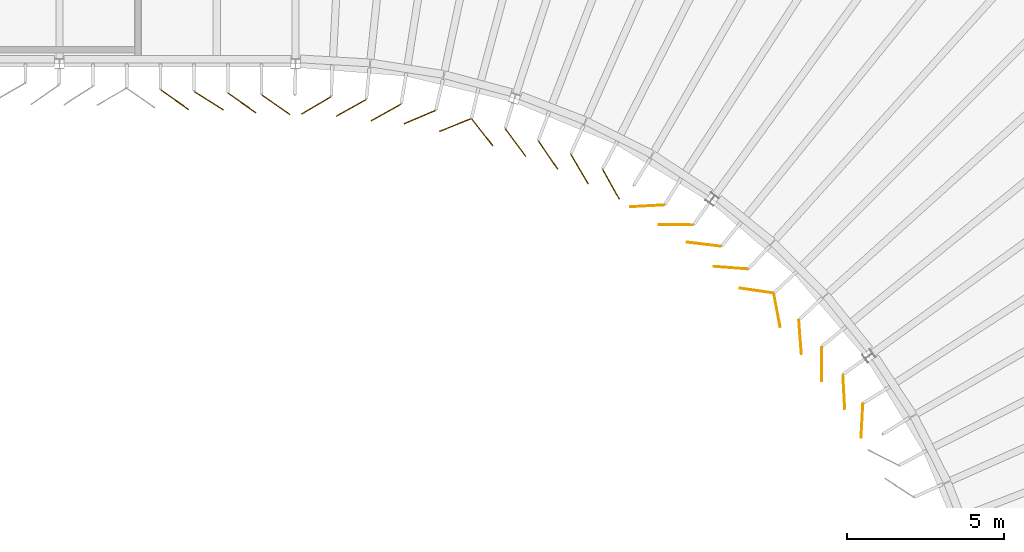
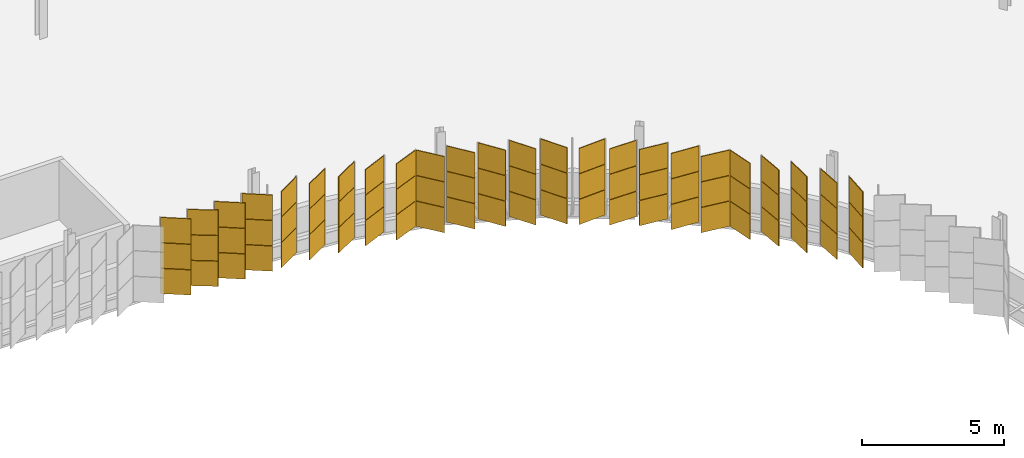
# One storey, part 193 of 199: 72 coverings.
"""IFC4 building model written with IfcOpenShell, lengths in metres."""

from ifc_helpers import new_model, si_unit, direction, frame, origin, origin_2d, place, context, subcontext, project, spatial, rectangle, extrude, material, layer, layer_set, type_object, element, save


model = new_model("IFC4")

# Units and contexts
model_context = context("Model", 3, precision=1e-05, world=origin(), true_north=direction((0.0, 1.0)))
body_context = subcontext(model_context, "Body", "Model", "MODEL_VIEW")
ifc_project = project(units=[si_unit("LENGTHUNIT", "METRE"), si_unit("AREAUNIT", "SQUARE_METRE"), si_unit("VOLUMEUNIT", "CUBIC_METRE"), si_unit("PLANEANGLEUNIT", "RADIAN"), si_unit("MASSUNIT", "GRAM", prefix="KILO")], contexts=[model_context])

# Site, building, storey
site_placement = place(None, origin())
site = spatial("IfcSite", under=ifc_project, at=site_placement, CompositionType="ELEMENT")
building_placement = place(site_placement, origin())
building = spatial("IfcBuilding", under=site, at=building_placement, Name="Parallax Yard Mobility Hub", CompositionType="ELEMENT")
storey_placement = place(building_placement, frame((0.0, 0.0, 9.89990234375)))
storey = spatial("IfcBuildingStorey", under=building, at=storey_placement, Name="L03", CompositionType="ELEMENT", Elevation=9.89990234375)

# Coverings
ifc_material_1 = material(Name="Aluminium panel, champagne finish", Category="aluminium")
ifc_layer_1 = layer(ifc_material_1, 0.030029296875)
ifc_layer_set_1 = layer_set([ifc_layer_1], Name="Skin panel 32.5 degree turn, champagne finish")
covering_type_1 = type_object("IfcCoveringType", Name="Skin panel 32.5 degree turn, champagne finish", PredefinedType="CLADDING", material=ifc_layer_set_1)
for number, where, z_axis, x_axis, name in (
    (1, (169.749755859375, 111.32421875, 0.02001953125), (0.0, 0.0, 1.0), (0.843391445813, -0.537299608347, 0.0), "Skin panel 32.5 bay 17.5 row 1 level L03"),
    (2, (173.15576171875, 111.178955078125, 0.02001953125), (0.0, 0.0, 1.0), (-0.860519833856, -0.509416936841, 0.0), "Skin panel 32.5 bay 18.1 row 1 level L03"),
    (3, (176.44140625, 110.8076171875, 0.02001953125), (0.0, 0.0, 1.0), (-0.919650220405, -0.392738427085, 0.0), "Skin panel 32.5 bay 18.4 row 1 level L03"),
    (4, (179.48828125, 109.9912109375, 0.02001953125), (0.0, 0.0, 1.0), (0.600071239924, -0.7999465651, 0.0), "Skin panel 32.5 bay 19.1 row 1 level L03"),
    (5, (182.517822265625, 108.67138671875, 0.02001953125), (0.0, 0.0, 1.0), (0.490523568159, -0.87142792535, 0.0), "Skin panel 32.5 bay 19.4 row 1 level L03"),
    (6, (185.46728515625, 106.76904296875, 0.02001953125), (0.0, 0.0, 1.0), (-0.992809667009, 0.119703655305, 0.0), "Skin panel 32.5 bay 20.1 row 1 level L03"),
    (7, (187.78955078125, 104.672119140625, 0.02001953125), (0.0, 0.0, 1.0), (0.184380219543, -0.982854991665, 0.0), "Skin panel 32.5 bay 20.4 row 1 level L03"),
    (8, (189.912109375, 102.078857421875, 0.02001953125), (0.0, 0.0, 1.0), (0.054514501638, -0.99851297894, 0.0), "Skin panel 32.5 bay 21.1 row 1 level L03"),
):
    element("IfcCovering", number, at=place(storey_placement, frame(where, z_axis=z_axis, x_axis=x_axis)), inside=storey, type_object=covering_type_1, Name=name, ObjectType="SCREEN", PredefinedType="CLADDING", context=body_context, shape_type="SweptSolid", body=[
        extrude(rectangle(XDim=1.080078125, YDim=0.030029296875, at=origin_2d()), origin(), (0.0, 0.0, 1.0), 1.080078125),
    ])
ifc_material_2 = material(Name="Aluminium panel, silver anodised", Category="aluminium")
ifc_layer_2 = layer(ifc_material_2, 0.030029296875)
ifc_layer_set_2 = layer_set([ifc_layer_2], Name="Skin panel 32.5 degree turn, silver anodised")
covering_type_2 = type_object("IfcCoveringType", Name="Skin panel 32.5 degree turn, silver anodised", PredefinedType="CLADDING", material=ifc_layer_set_2)
for number, where, z_axis, x_axis, name in (
    (9, (169.749755859375, 111.32421875, 1.1201171875), (0.0, 0.0, 1.0), (0.843391445813, -0.537299608347, 0.0), "Skin panel 32.5 bay 17.5 row 2 level L03"),
    (10, (169.749755859375, 111.32421875, 2.219970703125), (0.0, 0.0, 1.0), (0.843391445813, -0.537299608347, 0.0), "Skin panel 32.5 bay 17.5 row 3 level L03"),
    (11, (173.15576171875, 111.178955078125, 1.1201171875), (0.0, 0.0, 1.0), (-0.860519833856, -0.509416936841, 0.0), "Skin panel 32.5 bay 18.1 row 2 level L03"),
    (12, (173.15576171875, 111.178955078125, 2.219970703125), (0.0, 0.0, 1.0), (-0.860519833856, -0.509416936841, 0.0), "Skin panel 32.5 bay 18.1 row 3 level L03"),
    (13, (176.44140625, 110.8076171875, 1.1201171875), (0.0, 0.0, 1.0), (-0.919650220405, -0.392738427085, 0.0), "Skin panel 32.5 bay 18.4 row 2 level L03"),
    (14, (176.44140625, 110.8076171875, 2.219970703125), (0.0, 0.0, 1.0), (-0.919650220405, -0.392738427085, 0.0), "Skin panel 32.5 bay 18.4 row 3 level L03"),
    (15, (179.48828125, 109.9912109375, 1.1201171875), (0.0, 0.0, 1.0), (0.600071239924, -0.7999465651, 0.0), "Skin panel 32.5 bay 19.1 row 2 level L03"),
    (16, (179.48828125, 109.9912109375, 2.219970703125), (0.0, 0.0, 1.0), (0.600071239924, -0.7999465651, 0.0), "Skin panel 32.5 bay 19.1 row 3 level L03"),
    (17, (182.517822265625, 108.67138671875, 1.1201171875), (0.0, 0.0, 1.0), (0.490523568159, -0.87142792535, 0.0), "Skin panel 32.5 bay 19.4 row 2 level L03"),
    (18, (182.517822265625, 108.67138671875, 2.219970703125), (0.0, 0.0, 1.0), (0.490523568159, -0.87142792535, 0.0), "Skin panel 32.5 bay 19.4 row 3 level L03"),
    (19, (185.46728515625, 106.76904296875, 1.1201171875), (0.0, 0.0, 1.0), (-0.992809667009, 0.119703655305, 0.0), "Skin panel 32.5 bay 20.1 row 2 level L03"),
    (20, (185.46728515625, 106.76904296875, 2.219970703125), (0.0, 0.0, 1.0), (-0.992809667009, 0.119703655305, 0.0), "Skin panel 32.5 bay 20.1 row 3 level L03"),
    (21, (187.78955078125, 104.672119140625, 1.1201171875), (0.0, 0.0, 1.0), (0.184380219543, -0.982854991665, 0.0), "Skin panel 32.5 bay 20.4 row 2 level L03"),
    (22, (187.78955078125, 104.672119140625, 2.219970703125), (0.0, 0.0, 1.0), (0.184380219543, -0.982854991665, 0.0), "Skin panel 32.5 bay 20.4 row 3 level L03"),
    (23, (189.912109375, 102.078857421875, 1.1201171875), (0.0, 0.0, 1.0), (0.054514501638, -0.99851297894, 0.0), "Skin panel 32.5 bay 21.1 row 2 level L03"),
    (24, (189.912109375, 102.078857421875, 2.219970703125), (0.0, 0.0, 1.0), (0.054514501638, -0.99851297894, 0.0), "Skin panel 32.5 bay 21.1 row 3 level L03"),
):
    element("IfcCovering", number, at=place(storey_placement, frame(where, z_axis=z_axis, x_axis=x_axis)), inside=storey, type_object=covering_type_2, Name=name, ObjectType="SCREEN", PredefinedType="CLADDING", context=body_context, shape_type="SweptSolid", body=[
        extrude(rectangle(XDim=1.080078125, YDim=0.030029296875, at=origin_2d()), origin(), (0.0, 0.0, 1.0), 1.080078125),
    ])
ifc_layer_3 = layer(ifc_material_1, 0.030029296875)
ifc_layer_set_3 = layer_set([ifc_layer_3], Name="Skin panel 35 degree turn, champagne finish")
covering_type_3 = type_object("IfcCoveringType", Name="Skin panel 35 degree turn, champagne finish", PredefinedType="CLADDING", material=ifc_layer_set_3)
for number, where, z_axis, x_axis, name in (
    (25, (168.664794921875, 111.357666015625, 0.02001953125), (0.0, 0.0, 1.0), (0.819152044289, -0.573576436351, 0.0), "Skin panel 35 bay 17.4 row 1 level L03"),
    (26, (170.807861328125, 111.25048828125, 0.02001953125), (0.0, 0.0, 1.0), (0.819152044289, -0.573576436351, 0.0), "Skin panel 35 bay 17.6 row 1 level L03"),
    (27, (171.87939453125, 111.197021484375, 0.02001953125), (0.0, 0.0, 1.0), (0.819152044289, -0.573576436351, 0.0), "Skin panel 35 bay 17.7 row 1 level L03"),
    (28, (174.2626953125, 111.09765625, 0.02001953125), (0.0, 0.0, 1.0), (-0.87142792535, -0.490523568159, 0.0), "Skin panel 35 bay 18.2 row 1 level L03"),
    (29, (175.36962890625, 110.9521484375, 0.02001953125), (0.0, 0.0, 1.0), (-0.87142792535, -0.490523568159, 0.0), "Skin panel 35 bay 18.3 row 1 level L03"),
    (30, (177.5693359375, 110.5546875, 0.02001953125), (0.0, 0.0, 1.0), (-0.927998912192, -0.372582902144, 0.0), "Skin panel 35 bay 18.5 row 1 level L03"),
    (31, (178.42919921875, 110.32421875, 0.02001953125), (0.0, 0.0, 1.0), (0.617379181571, -0.786665714369, 0.0), "Skin panel 35 bay 18.6 row 1 level L03"),
    (32, (180.51904296875, 109.600341796875, 0.02001953125), (0.0, 0.0, 1.0), (0.564606925974, -0.825359933085, 0.0), "Skin panel 35 bay 19.2 row 1 level L03"),
    (33, (181.519287109375, 109.15380859375, 0.02001953125), (0.0, 0.0, 1.0), (0.509416936841, -0.860519833856, 0.0), "Skin panel 35 bay 19.3 row 1 level L03"),
    (34, (183.661865234375, 107.987060546875, 0.02001953125), (0.0, 0.0, 1.0), (-0.99851297894, -0.054514501638, 0.0), "Skin panel 35 bay 19.5 row 1 level L03"),
    (35, (184.578369140625, 107.3876953125, 0.02001953125), (0.0, 0.0, 1.0), (-0.999940505, 0.010908091494, 0.0), "Skin panel 35 bay 19.6 row 1 level L03"),
    (36, (186.31640625, 106.0234375, 0.02001953125), (0.0, 0.0, 1.0), (-0.997086132304, 0.076283974504, 0.0), "Skin panel 35 bay 20.2 row 1 level L03"),
    (37, (187.135986328125, 105.297607421875, 0.02001953125), (0.0, 0.0, 1.0), (-0.989962083715, 0.141333197824, 0.0), "Skin panel 35 bay 20.3 row 1 level L03"),
    (38, (188.523681640625, 103.816162109375, 0.02001953125), (0.0, 0.0, 1.0), (0.076283974504, -0.997086132304, 0.0), "Skin panel 35 bay 20.5 row 1 level L03"),
    (39, (189.208740234375, 102.963134765625, 0.02001953125), (0.0, 0.0, 1.0), (0.010908091494, -0.999940505, 0.0), "Skin panel 35 bay 20.6 row 1 level L03"),
    (40, (190.487060546875, 101.16162109375, 0.02001953125), (0.0, 0.0, 1.0), (-0.054514501638, -0.99851297894, 0.0), "Skin panel 35 bay 21.2 row 1 level L03"),
):
    element("IfcCovering", number, at=place(storey_placement, frame(where, z_axis=z_axis, x_axis=x_axis)), inside=storey, type_object=covering_type_3, Name=name, ObjectType="SCREEN", PredefinedType="CLADDING", context=body_context, shape_type="SweptSolid", body=[
        extrude(rectangle(XDim=1.080078125, YDim=0.030029296875, at=origin_2d()), origin(), (0.0, 0.0, 1.0), 1.080078125),
    ])
ifc_layer_4 = layer(ifc_material_2, 0.030029296875)
ifc_layer_set_4 = layer_set([ifc_layer_4], Name="Skin panel 35 degree turn, silver anodised")
covering_type_4 = type_object("IfcCoveringType", Name="Skin panel 35 degree turn, silver anodised", PredefinedType="CLADDING", material=ifc_layer_set_4)
for number, where, z_axis, x_axis, name in (
    (41, (168.664794921875, 111.357666015625, 1.1201171875), (0.0, 0.0, 1.0), (0.819152044289, -0.573576436351, 0.0), "Skin panel 35 bay 17.4 row 2 level L03"),
    (42, (168.664794921875, 111.357666015625, 2.219970703125), (0.0, 0.0, 1.0), (0.819152044289, -0.573576436351, 0.0), "Skin panel 35 bay 17.4 row 3 level L03"),
    (43, (170.807861328125, 111.25048828125, 1.1201171875), (0.0, 0.0, 1.0), (0.819152044289, -0.573576436351, 0.0), "Skin panel 35 bay 17.6 row 2 level L03"),
    (44, (170.807861328125, 111.25048828125, 2.219970703125), (0.0, 0.0, 1.0), (0.819152044289, -0.573576436351, 0.0), "Skin panel 35 bay 17.6 row 3 level L03"),
    (45, (171.87939453125, 111.197021484375, 1.1201171875), (0.0, 0.0, 1.0), (0.819152044289, -0.573576436351, 0.0), "Skin panel 35 bay 17.7 row 2 level L03"),
    (46, (171.87939453125, 111.197021484375, 2.219970703125), (0.0, 0.0, 1.0), (0.819152044289, -0.573576436351, 0.0), "Skin panel 35 bay 17.7 row 3 level L03"),
    (47, (174.2626953125, 111.09765625, 1.1201171875), (0.0, 0.0, 1.0), (-0.87142792535, -0.490523568159, 0.0), "Skin panel 35 bay 18.2 row 2 level L03"),
    (48, (174.2626953125, 111.09765625, 2.219970703125), (0.0, 0.0, 1.0), (-0.87142792535, -0.490523568159, 0.0), "Skin panel 35 bay 18.2 row 3 level L03"),
    (49, (175.36962890625, 110.9521484375, 1.1201171875), (0.0, 0.0, 1.0), (-0.87142792535, -0.490523568159, 0.0), "Skin panel 35 bay 18.3 row 2 level L03"),
    (50, (175.36962890625, 110.9521484375, 2.219970703125), (0.0, 0.0, 1.0), (-0.87142792535, -0.490523568159, 0.0), "Skin panel 35 bay 18.3 row 3 level L03"),
    (51, (177.5693359375, 110.5546875, 1.1201171875), (0.0, 0.0, 1.0), (-0.927998912192, -0.372582902144, 0.0), "Skin panel 35 bay 18.5 row 2 level L03"),
    (52, (177.5693359375, 110.5546875, 2.219970703125), (0.0, 0.0, 1.0), (-0.927998912192, -0.372582902144, 0.0), "Skin panel 35 bay 18.5 row 3 level L03"),
    (53, (178.42919921875, 110.32421875, 1.1201171875), (0.0, 0.0, 1.0), (0.617379181571, -0.786665714369, 0.0), "Skin panel 35 bay 18.6 row 2 level L03"),
    (54, (178.42919921875, 110.32421875, 2.219970703125), (0.0, 0.0, 1.0), (0.617379181571, -0.786665714369, 0.0), "Skin panel 35 bay 18.6 row 3 level L03"),
    (55, (180.51904296875, 109.600341796875, 1.1201171875), (0.0, 0.0, 1.0), (0.564606925974, -0.825359933085, 0.0), "Skin panel 35 bay 19.2 row 2 level L03"),
    (56, (180.51904296875, 109.600341796875, 2.219970703125), (0.0, 0.0, 1.0), (0.564606925974, -0.825359933085, 0.0), "Skin panel 35 bay 19.2 row 3 level L03"),
    (57, (181.519287109375, 109.15380859375, 1.1201171875), (0.0, 0.0, 1.0), (0.509416936841, -0.860519833856, 0.0), "Skin panel 35 bay 19.3 row 2 level L03"),
    (58, (181.519287109375, 109.15380859375, 2.219970703125), (0.0, 0.0, 1.0), (0.509416936841, -0.860519833856, 0.0), "Skin panel 35 bay 19.3 row 3 level L03"),
    (59, (183.661865234375, 107.987060546875, 1.1201171875), (0.0, 0.0, 1.0), (-0.99851297894, -0.054514501638, 0.0), "Skin panel 35 bay 19.5 row 2 level L03"),
    (60, (183.661865234375, 107.987060546875, 2.219970703125), (0.0, 0.0, 1.0), (-0.99851297894, -0.054514501638, 0.0), "Skin panel 35 bay 19.5 row 3 level L03"),
    (61, (184.578369140625, 107.3876953125, 1.1201171875), (0.0, 0.0, 1.0), (-0.999940505, 0.010908091494, 0.0), "Skin panel 35 bay 19.6 row 2 level L03"),
    (62, (184.578369140625, 107.3876953125, 2.219970703125), (0.0, 0.0, 1.0), (-0.999940505, 0.010908091494, 0.0), "Skin panel 35 bay 19.6 row 3 level L03"),
    (63, (186.31640625, 106.0234375, 1.1201171875), (0.0, 0.0, 1.0), (-0.997086132304, 0.076283974504, 0.0), "Skin panel 35 bay 20.2 row 2 level L03"),
    (64, (186.31640625, 106.0234375, 2.219970703125), (0.0, 0.0, 1.0), (-0.997086132304, 0.076283974504, 0.0), "Skin panel 35 bay 20.2 row 3 level L03"),
    (65, (187.135986328125, 105.297607421875, 1.1201171875), (0.0, 0.0, 1.0), (-0.989962083715, 0.141333197824, 0.0), "Skin panel 35 bay 20.3 row 2 level L03"),
    (66, (187.135986328125, 105.297607421875, 2.219970703125), (0.0, 0.0, 1.0), (-0.989962083715, 0.141333197824, 0.0), "Skin panel 35 bay 20.3 row 3 level L03"),
    (67, (188.523681640625, 103.816162109375, 1.1201171875), (0.0, 0.0, 1.0), (0.076283974504, -0.997086132304, 0.0), "Skin panel 35 bay 20.5 row 2 level L03"),
    (68, (188.523681640625, 103.816162109375, 2.219970703125), (0.0, 0.0, 1.0), (0.076283974504, -0.997086132304, 0.0), "Skin panel 35 bay 20.5 row 3 level L03"),
    (69, (189.208740234375, 102.963134765625, 1.1201171875), (0.0, 0.0, 1.0), (0.010908091494, -0.999940505, 0.0), "Skin panel 35 bay 20.6 row 2 level L03"),
    (70, (189.208740234375, 102.963134765625, 2.219970703125), (0.0, 0.0, 1.0), (0.010908091494, -0.999940505, 0.0), "Skin panel 35 bay 20.6 row 3 level L03"),
    (71, (190.487060546875, 101.16162109375, 1.1201171875), (0.0, 0.0, 1.0), (-0.054514501638, -0.99851297894, 0.0), "Skin panel 35 bay 21.2 row 2 level L03"),
    (72, (190.487060546875, 101.16162109375, 2.219970703125), (0.0, 0.0, 1.0), (-0.054514501638, -0.99851297894, 0.0), "Skin panel 35 bay 21.2 row 3 level L03"),
):
    element("IfcCovering", number, at=place(storey_placement, frame(where, z_axis=z_axis, x_axis=x_axis)), inside=storey, type_object=covering_type_4, Name=name, ObjectType="SCREEN", PredefinedType="CLADDING", context=body_context, shape_type="SweptSolid", body=[
        extrude(rectangle(XDim=1.080078125, YDim=0.030029296875, at=origin_2d()), origin(), (0.0, 0.0, 1.0), 1.080078125),
    ])

save(model, "model.ifc")
